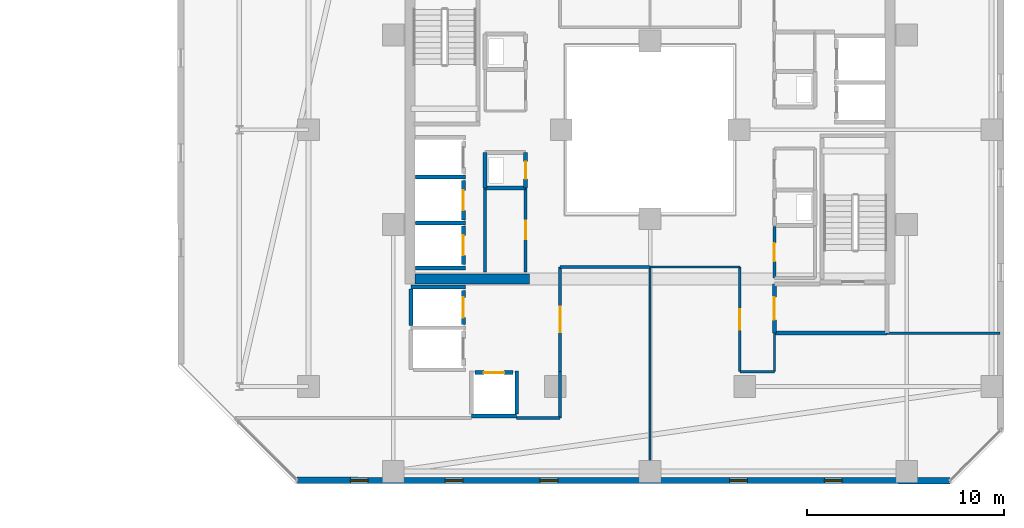
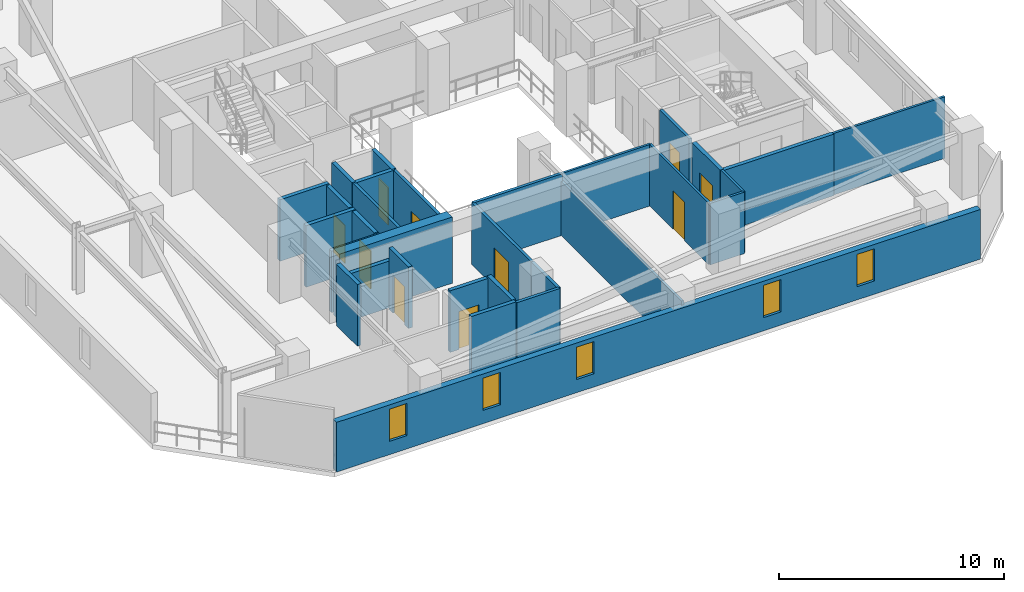
# One storey, part 23 of 32: 31 walls, 10 doors, 5 windows, 15 openings.
"""IFC4 building model written with IfcOpenShell, lengths in metres."""

from ifc_helpers import new_model, si_unit, direction, frame, frame_2d, origin, place, context, subcontext, project, spatial, rectangle, extrude, material, layer, layer_set, type_object, element, fill, save


model = new_model("IFC4")

# Units and contexts
model_context = context("Model", 3, precision=1e-05, world=origin(), true_north=direction((0.0, 1.0)))
body_context = subcontext(model_context, "Body", "Model", "MODEL_VIEW")
ifc_project = project(units=[si_unit("LENGTHUNIT", "METRE"), si_unit("AREAUNIT", "SQUARE_METRE"), si_unit("VOLUMEUNIT", "CUBIC_METRE"), si_unit("PLANEANGLEUNIT", "RADIAN"), si_unit("MASSUNIT", "GRAM", prefix="KILO")], contexts=[model_context])

# Site, building, storey
site_placement = place(None, origin())
site = spatial("IfcSite", under=ifc_project, at=site_placement, CompositionType="ELEMENT")
building_placement = place(site_placement, origin())
building = spatial("IfcBuilding", under=site, at=building_placement, Name="Thornwick Lancets Civic Towers", CompositionType="ELEMENT")
storey_placement = place(building_placement, frame((0.0, 0.0, 178.5)))
storey = spatial("IfcBuildingStorey", under=building, at=storey_placement, Name="L47", CompositionType="ELEMENT", Elevation=178.5)

# Wall, opening, door
ifc_material_1 = material(Name="Concrete blockwork C40/50", Category="masonry")
ifc_layer_1 = layer(ifc_material_1, 0.199951171875, Name="Concrete blockwork C40/50")
ifc_layer_set_1 = layer_set([ifc_layer_1], Name="Concrete blockwork C40/50")
wall_type_1 = type_object("IfcWallType", Name="WALL_COMP_200", PredefinedType="STANDARD", material=ifc_layer_set_1)
wall_1_placement = place(storey_placement, frame((79.050048828125, 22.429931640625, 0.0), z_axis=(0.0, 0.0, 1.0), x_axis=(0.0, 1.0, 0.0)))
wall_1 = element("IfcWall", 1, at=wall_1_placement, inside=storey, type_object=wall_type_1, Name="L47 Hoistway Front Wall PL-BH2", PredefinedType="STANDARD", context=body_context, shape_type="SweptSolid", body=[
    extrude(rectangle(XDim=1.989990234375, YDim=0.199951171875, at=frame_2d((0.9951171875, 0.0))), origin(), (0.0, 0.0, 1.0), 3.340087890625),
])
opening_1_placement = place(wall_1_placement, frame((0.485107421875, 0.0, 0.0)))
opening_1 = element("IfcOpeningElement", 2, at=opening_1_placement, cuts=wall_1, Name="Opening LD-PL-BH2", PredefinedType="OPENING", context=body_context, shape_type="SweptSolid", body=[
    extrude(rectangle(XDim=1.02001953125, YDim=2.06005859375, at=frame_2d((0.510009765625, 1.030029296875))), frame((0.0, 0.10986328125, 0.0), z_axis=(0.0, -1.0, 0.0), x_axis=(1.0, 0.0, 0.0)), (0.0, 0.0, 1.0), 0.219970703125),
])
ifc_material_2 = material(Name="Brushed bronze stainless steel", Category="steel")
door_type_1 = type_object("IfcDoorType", Name="DOOR_LIFT_SLIDE", OperationType="SLIDING_TO_LEFT", PredefinedType="DOOR", material=ifc_material_2)
door_1_placement = place(opening_1_placement, origin())
door_1 = element("IfcDoor", 3, at=door_1_placement, inside=storey, type_object=door_type_1, Name="L47 Sliding Lift Landing Door LD-PL-BH2", OperationType="SLIDING_TO_LEFT", OverallHeight=2.06005859375, OverallWidth=1.02001953125, PredefinedType="DOOR", context=body_context, shape_type="SweptSolid", body=[
    extrude(rectangle(XDim=1.02001953125, YDim=2.06005859375, at=frame_2d((0.510009765625, 1.030029296875))), frame((0.0, 0.02490234375, 0.0), z_axis=(0.0, -1.0, 0.0), x_axis=(1.0, 0.0, 0.0)), (0.0, 0.0, 1.0), 0.050048828125),
])
fill(opening_1, door_1)

wall_2_placement = place(storey_placement, frame((79.050048828125, 20.179931640625, 0.0), z_axis=(0.0, 0.0, 1.0), x_axis=(0.0, 1.0, 0.0)))
wall_2 = element("IfcWall", 4, at=wall_2_placement, inside=storey, type_object=wall_type_1, Name="L47 Hoistway Front Wall PL-BH3", PredefinedType="STANDARD", context=body_context, shape_type="SweptSolid", body=[
    extrude(rectangle(XDim=1.940185546875, YDim=0.199951171875, at=frame_2d((0.97021484375, 0.0))), origin(), (0.0, 0.0, 1.0), 3.340087890625),
])
opening_2_placement = place(wall_2_placement, frame((0.4599609375, 0.0, 0.0)))
opening_2 = element("IfcOpeningElement", 5, at=opening_2_placement, cuts=wall_2, Name="Opening LD-PL-BH3", PredefinedType="OPENING", context=body_context, shape_type="SweptSolid", body=[
    extrude(rectangle(XDim=1.02001953125, YDim=2.06005859375, at=frame_2d((0.510009765625, 1.030029296875))), frame((0.0, 0.10986328125, 0.0), z_axis=(0.0, -1.0, 0.0), x_axis=(1.0, 0.0, 0.0)), (0.0, 0.0, 1.0), 0.219970703125),
])
door_2_placement = place(opening_2_placement, origin())
door_2 = element("IfcDoor", 6, at=door_2_placement, inside=storey, type_object=door_type_1, Name="L47 Sliding Lift Landing Door LD-PL-BH3", OperationType="SLIDING_TO_LEFT", OverallHeight=2.06005859375, OverallWidth=1.02001953125, PredefinedType="DOOR", context=body_context, shape_type="SweptSolid", body=[
    extrude(rectangle(XDim=1.02001953125, YDim=2.06005859375, at=frame_2d((0.510009765625, 1.030029296875))), frame((0.0, 0.02490234375, 0.0), z_axis=(0.0, -1.0, 0.0), x_axis=(1.0, 0.0, 0.0)), (0.0, 0.0, 1.0), 0.050048828125),
])
fill(opening_2, door_2)

wall_3_placement = place(storey_placement, frame((79.050048828125, 17.1298828125, 0.0), z_axis=(0.0, 0.0, 1.0), x_axis=(0.0, 1.0, 0.0)))
wall_3 = element("IfcWall", 7, at=wall_3_placement, inside=storey, type_object=wall_type_1, Name="L47 Hoistway Front Wall PL-BM1", PredefinedType="STANDARD", context=body_context, shape_type="SweptSolid", body=[
    extrude(rectangle(XDim=1.740234375, YDim=0.199951171875, at=frame_2d((0.8701171875, 0.0))), origin(), (0.0, 0.0, 1.0), 3.340087890625),
])
opening_3_placement = place(wall_3_placement, frame((0.360107421875, 0.0, 0.0)))
opening_3 = element("IfcOpeningElement", 8, at=opening_3_placement, cuts=wall_3, Name="Opening LD-PL-BM1", PredefinedType="OPENING", context=body_context, shape_type="SweptSolid", body=[
    extrude(rectangle(XDim=1.02001953125, YDim=2.06005859375, at=frame_2d((0.510009765625, 1.030029296875))), frame((0.0, 0.10986328125, 0.0), z_axis=(0.0, -1.0, 0.0), x_axis=(1.0, 0.0, 0.0)), (0.0, 0.0, 1.0), 0.219970703125),
])
door_3_placement = place(opening_3_placement, origin())
door_3 = element("IfcDoor", 9, at=door_3_placement, inside=storey, type_object=door_type_1, Name="L47 Sliding Lift Landing Door LD-PL-BM1", OperationType="SLIDING_TO_LEFT", OverallHeight=2.06005859375, OverallWidth=1.02001953125, PredefinedType="DOOR", context=body_context, shape_type="SweptSolid", body=[
    extrude(rectangle(XDim=1.02001953125, YDim=2.06005859375, at=frame_2d((0.510009765625, 1.030029296875))), frame((0.0, 0.02490234375, 0.0), z_axis=(0.0, -1.0, 0.0), x_axis=(1.0, 0.0, 0.0)), (0.0, 0.0, 1.0), 0.050048828125),
])
fill(opening_3, door_3)

wall_4_placement = place(storey_placement, frame((79.6298828125, 14.699951171875, 0.0), z_axis=(0.0, 0.0, 1.0), x_axis=(1.0, 0.0, 0.0)))
wall_4 = element("IfcWall", 10, at=wall_4_placement, inside=storey, type_object=wall_type_1, Name="L47 Hoistway Front Wall PL-BM3", PredefinedType="STANDARD", context=body_context, shape_type="SweptSolid", body=[
    extrude(rectangle(XDim=1.940185546875, YDim=0.199951171875, at=frame_2d((0.97021484375, 0.0))), origin(), (0.0, 0.0, 1.0), 3.340087890625),
])
opening_4_placement = place(wall_4_placement, frame((0.4599609375, 0.0, 0.0)))
opening_4 = element("IfcOpeningElement", 11, at=opening_4_placement, cuts=wall_4, Name="Opening LD-PL-BM3", PredefinedType="OPENING", context=body_context, shape_type="SweptSolid", body=[
    extrude(rectangle(XDim=1.02001953125, YDim=2.06005859375, at=frame_2d((0.510009765625, 1.030029296875))), frame((0.0, 0.10986328125, 0.0), z_axis=(0.0, -1.0, 0.0), x_axis=(1.0, 0.0, 0.0)), (0.0, 0.0, 1.0), 0.219970703125),
])
door_4_placement = place(opening_4_placement, origin())
door_4 = element("IfcDoor", 12, at=door_4_placement, inside=storey, type_object=door_type_1, Name="L47 Sliding Lift Landing Door LD-PL-BM3", OperationType="SLIDING_TO_LEFT", OverallHeight=2.06005859375, OverallWidth=1.02001953125, PredefinedType="DOOR", context=body_context, shape_type="SweptSolid", body=[
    extrude(rectangle(XDim=1.02001953125, YDim=2.06005859375, at=frame_2d((0.510009765625, 1.030029296875))), frame((0.0, 0.02490234375, 0.0), z_axis=(0.0, -1.0, 0.0), x_axis=(1.0, 0.0, 0.0)), (0.0, 0.0, 1.0), 0.050048828125),
])
fill(opening_4, door_4)

# Walls
for number, where, z_axis, x_axis, name in (
    (13, (76.612060546875, 24.60009765625, 0.0), (0.0, 0.0, 1.0), (1.0, 0.0, 0.0), "L47 Hoistway Shaft Wall FL-B2 S"),
    (14, (76.612060546875, 22.27490234375, 0.0), (0.0, 0.0, 1.0), (1.0, 0.0, 0.0), "L47 Hoistway Shaft Wall PL-BH2 S"),
    (15, (76.612060546875, 20.0, 0.0), (0.0, 0.0, 1.0), (1.0, 0.0, 0.0), "L47 Hoistway Shaft Wall PL-BH3 S"),
):
    element("IfcWall", number, at=place(storey_placement, frame(where, z_axis=z_axis, x_axis=x_axis)), inside=storey, type_object=wall_type_1, Name=name, PredefinedType="STANDARD", context=body_context, shape_type="SweptSolid", body=[
        extrude(rectangle(XDim=2.535888671875, YDim=0.199951171875, at=frame_2d((1.26806640625, 0.0))), origin(), (0.0, 0.0, 1.0), 3.340087890625),
    ])
wall_5_placement = place(storey_placement, frame((76.402099609375, 19.050048828125, 0.0), z_axis=(0.0, 0.0, 1.0), x_axis=(1.0, 0.0, 0.0)))
element("IfcWall", 16, at=wall_5_placement, inside=storey, type_object=wall_type_1, Name="L47 Hoistway Shaft Wall PL-BM1 N", PredefinedType="STANDARD", context=body_context, shape_type="SweptSolid", body=[
    extrude(rectangle(XDim=2.745849609375, YDim=0.199951171875, at=frame_2d((1.373046875, 0.0))), origin(), (0.0, 0.0, 1.0), 2.544921875),
])
wall_6_placement = place(storey_placement, frame((76.39990234375, 17.08203125, 0.0), z_axis=(0.0, 0.0, 1.0), x_axis=(0.0, 1.0, 0.0)))
element("IfcWall", 17, at=wall_6_placement, inside=storey, type_object=wall_type_1, Name="L47 Hoistway Shaft Wall PL-BM1 W", PredefinedType="STANDARD", context=body_context, shape_type="SweptSolid", body=[
    extrude(rectangle(XDim=1.85595703125, YDim=0.199951171875, at=frame_2d((0.927978515625, 0.0))), origin(), (0.0, 0.0, 1.0), 3.340087890625),
])
wall_7_placement = place(storey_placement, frame((79.451904296875, 12.5, 0.0), z_axis=(0.0, 0.0, 1.0), x_axis=(1.0, 0.0, 0.0)))
element("IfcWall", 18, at=wall_7_placement, inside=storey, type_object=wall_type_1, Name="L47 Hoistway Shaft Wall PL-BM3 S", PredefinedType="STANDARD", context=body_context, shape_type="SweptSolid", body=[
    extrude(rectangle(XDim=2.296142578125, YDim=0.199951171875, at=frame_2d((1.14794921875, 0.0))), origin(), (0.0, 0.0, 1.0), 3.340087890625),
])
wall_8_placement = place(storey_placement, frame((81.75, 12.612060546875, 0.0), z_axis=(0.0, 0.0, 1.0), x_axis=(0.0, 1.0, 0.0)))
element("IfcWall", 19, at=wall_8_placement, inside=storey, type_object=wall_type_1, Name="L47 Hoistway Shaft Wall PL-BM3 E", PredefinedType="STANDARD", context=body_context, shape_type="SweptSolid", body=[
    extrude(rectangle(XDim=2.18603515625, YDim=0.199951171875, at=frame_2d((1.093017578125, 0.0))), origin(), (0.0, 0.0, 1.0), 3.340087890625),
])
wall_9_placement = place(storey_placement, frame((94.800048828125, 16.699951171875, 0.0), z_axis=(0.0, 0.0, 1.0), x_axis=(1.0, 0.0, 0.0)))
element("IfcWall", 20, at=wall_9_placement, inside=storey, type_object=wall_type_1, Name="L47 Partition L47-B-FFLOB1 E1", PredefinedType="STANDARD", context=body_context, shape_type="SweptSolid", body=[
    extrude(rectangle(XDim=5.699951171875, YDim=0.199951171875, at=frame_2d((2.85009765625, 0.0))), origin(), (0.0, 0.0, 1.0), 3.340087890625),
])

# Wall, opening, door
wall_10_placement = place(storey_placement, frame((94.800048828125, 19.199951171875, 0.0), z_axis=(0.0, 0.0, 1.0), x_axis=(0.0, -1.0, 0.0)))
wall_10 = element("IfcWall", 21, at=wall_10_placement, inside=storey, type_object=wall_type_1, Name="L47 Partition L47-B-FFLOB1 E4", PredefinedType="STANDARD", context=body_context, shape_type="SweptSolid", body=[
    extrude(rectangle(XDim=2.5, YDim=0.199951171875, at=frame_2d((1.25, 0.0))), origin(), (0.0, 0.0, 1.0), 3.340087890625),
])
opening_5_placement = place(wall_10_placement, frame((0.675048828125, 0.0, 0.0)))
opening_5 = element("IfcOpeningElement", 22, at=opening_5_placement, cuts=wall_10, Name="Opening D-L47-2099", PredefinedType="OPENING", context=body_context, shape_type="SweptSolid", body=[
    extrude(rectangle(XDim=1.14990234375, YDim=2.10009765625, at=frame_2d((0.574951171875, 1.050048828125))), frame((0.0, 0.10986328125, 0.0), z_axis=(0.0, -1.0, 0.0), x_axis=(1.0, 0.0, 0.0)), (0.0, 0.0, 1.0), 0.219970703125),
])
ifc_material_3 = material(Name="Glazed fire-resisting steel", Category="steel")
door_type_2 = type_object("IfcDoorType", Name="DOOR_LOBBY_FD60", OperationType="NOTDEFINED", PredefinedType="DOOR", material=ifc_material_3)
door_5_placement = place(opening_5_placement, origin())
door_5 = element("IfcDoor", 23, at=door_5_placement, inside=storey, type_object=door_type_2, Name="L47 East Firefighting Lobby 1 Door", OperationType="SINGLE_SWING_RIGHT", OverallHeight=2.10009765625, OverallWidth=1.14990234375, PredefinedType="DOOR", context=body_context, shape_type="SweptSolid", body=[
    extrude(rectangle(XDim=1.14990234375, YDim=2.10009765625, at=frame_2d((0.574951171875, 1.050048828125))), frame((0.0, 0.02490234375, 0.0), z_axis=(0.0, -1.0, 0.0), x_axis=(1.0, 0.0, 0.0)), (0.0, 0.0, 1.0), 0.050048828125),
])
fill(opening_5, door_5)

# Wall
wall_11_placement = place(storey_placement, frame((80.14990234375, 24.050048828125, 0.0), z_axis=(0.0, 0.0, 1.0), x_axis=(1.0, 0.0, 0.0)))
element("IfcWall", 24, at=wall_11_placement, inside=storey, type_object=wall_type_1, Name="L47 Partition L47-B-DUCT2 E1", PredefinedType="STANDARD", context=body_context, shape_type="SweptSolid", body=[
    extrude(rectangle(XDim=2.050048828125, YDim=0.199951171875, at=frame_2d((1.02490234375, 0.0))), origin(), (0.0, 0.0, 1.0), 3.340087890625),
])

# Wall, opening, door
wall_12_placement = place(storey_placement, frame((82.199951171875, 24.050048828125, 0.0), z_axis=(0.0, 0.0, 1.0), x_axis=(0.0, 1.0, 0.0)))
wall_12 = element("IfcWall", 25, at=wall_12_placement, inside=storey, type_object=wall_type_1, Name="L47 Partition L47-B-DUCT2 E2", PredefinedType="STANDARD", context=body_context, shape_type="SweptSolid", body=[
    extrude(rectangle(XDim=1.800048828125, YDim=0.199951171875, at=frame_2d((0.89990234375, 0.0))), origin(), (0.0, 0.0, 1.0), 3.340087890625),
])
opening_6_placement = place(wall_12_placement, frame((0.4599609375, 0.0, 0.0)))
opening_6 = element("IfcOpeningElement", 26, at=opening_6_placement, cuts=wall_12, Name="Opening D-L47-2103", PredefinedType="OPENING", context=body_context, shape_type="SweptSolid", body=[
    extrude(rectangle(XDim=0.8798828125, YDim=2.0400390625, at=frame_2d((0.43994140625, 1.02001953125))), frame((0.0, 0.10986328125, 0.0), z_axis=(0.0, -1.0, 0.0), x_axis=(1.0, 0.0, 0.0)), (0.0, 0.0, 1.0), 0.219970703125),
])
ifc_material_4 = material(Name="Steel riser access doorset", Category="steel")
door_type_3 = type_object("IfcDoorType", Name="DOOR_RISER_850", OperationType="NOTDEFINED", PredefinedType="DOOR", material=ifc_material_4)
door_6_placement = place(opening_6_placement, origin())
door_6 = element("IfcDoor", 27, at=door_6_placement, inside=storey, type_object=door_type_3, Name="L47 West Service Duct 2 Door", OperationType="SINGLE_SWING_RIGHT", OverallHeight=2.0400390625, OverallWidth=0.8798828125, PredefinedType="DOOR", context=body_context, shape_type="SweptSolid", body=[
    extrude(rectangle(XDim=0.8798828125, YDim=2.0400390625, at=frame_2d((0.43994140625, 1.02001953125))), frame((0.0, 0.02490234375, 0.0), z_axis=(0.0, -1.0, 0.0), x_axis=(1.0, 0.0, 0.0)), (0.0, 0.0, 1.0), 0.050048828125),
])
fill(opening_6, door_6)

# Walls
wall_13_placement = place(storey_placement, frame((80.14990234375, 25.85009765625, 0.0), z_axis=(0.0, 0.0, 1.0), x_axis=(0.0, -1.0, 0.0)))
element("IfcWall", 28, at=wall_13_placement, inside=storey, type_object=wall_type_1, Name="L47 Partition L47-B-DUCT2 E4", PredefinedType="STANDARD", context=body_context, shape_type="SweptSolid", body=[
    extrude(rectangle(XDim=1.800048828125, YDim=0.199951171875, at=frame_2d((0.89990234375, 0.0))), origin(), (0.0, 0.0, 1.0), 3.340087890625),
])
ifc_material_5 = material(Name="Concrete C50/60", Category="concrete")
ifc_layer_2 = layer(ifc_material_5, 0.5, Name="Concrete C50/60")
ifc_layer_set_2 = layer_set([ifc_layer_2], Name="Concrete C50/60")
wall_type_2 = type_object("IfcWallType", Name="WALL_CORE_500", PredefinedType="SHEAR", material=ifc_layer_set_2)
wall_14_placement = place(storey_placement, frame((76.60009765625, 19.449951171875, 0.0), z_axis=(0.0, 0.0, 1.0), x_axis=(1.0, 0.0, 0.0)))
element("IfcWall", 29, at=wall_14_placement, inside=storey, type_object=wall_type_2, Name="L47 Split Core B2 Shear Wall S", PredefinedType="SHEAR", context=body_context, shape_type="SweptSolid", body=[
    extrude(rectangle(XDim=5.7998046875, YDim=0.5, at=frame_2d((2.89990234375, 0.0))), origin(), (0.0, 0.0, 1.0), 3.60009765625),
])

# Wall, openings, windows
ifc_material_6 = material(Name="Insulated buff terracotta rainscreen on concrete C40/50", Category="masonry")
ifc_layer_3 = layer(ifc_material_6, 0.320068359375, Name="Insulated buff terracotta rainscreen on concrete C40/50")
ifc_layer_set_3 = layer_set([ifc_layer_3], Name="Insulated buff terracotta rainscreen on concrete C40/50")
wall_type_3 = type_object("IfcWallType", Name="WALL_EXT_TERRA_320", PredefinedType="STANDARD", material=ifc_layer_set_3)
wall_15_placement = place(storey_placement, frame((70.627685546875, 9.246337890625, 0.0), z_axis=(0.0, 0.0, 1.0), x_axis=(0.999999944762, -0.000332378036, 0.0)))
wall_15 = element("IfcWall", 30, at=wall_15_placement, inside=storey, type_object=wall_type_3, Name="L47 Tower B Terracotta Facade Wall E0", PredefinedType="STANDARD", context=body_context, shape_type="SweptSolid", body=[
    extrude(rectangle(XDim=33.0537109375, YDim=0.320068359375, at=frame_2d((16.52685546875, 0.0))), origin(), (0.0, 0.0, 1.0), 2.699951171875),
])
opening_7_placement = place(wall_15_placement, frame((2.699951171875, 0.0, 0.719970703125)))
opening_7 = element("IfcOpeningElement", 31, at=opening_7_placement, cuts=wall_15, Name="Opening WL-01", PredefinedType="OPENING", context=body_context, shape_type="SweptSolid", body=[
    extrude(rectangle(XDim=0.89990234375, YDim=1.75, at=frame_2d((0.449951171875, 0.875))), frame((0.0, 0.169921875, 0.0), z_axis=(0.0, -1.0, 0.0), x_axis=(1.0, 0.0, 0.0)), (0.0, 0.0, 1.0), 0.340087890625),
])
opening_8_placement = place(wall_15_placement, frame((7.5, 0.0, 0.719970703125)))
opening_8 = element("IfcOpeningElement", 32, at=opening_8_placement, cuts=wall_15, Name="Opening WL-01", PredefinedType="OPENING", context=body_context, shape_type="SweptSolid", body=[
    extrude(rectangle(XDim=0.89990234375, YDim=1.75, at=frame_2d((0.449951171875, 0.875))), frame((0.0, 0.169921875, 0.0), z_axis=(0.0, -1.0, 0.0), x_axis=(1.0, 0.0, 0.0)), (0.0, 0.0, 1.0), 0.340087890625),
])
opening_9_placement = place(wall_15_placement, frame((12.300048828125, 0.0, 0.719970703125)))
opening_9 = element("IfcOpeningElement", 33, at=opening_9_placement, cuts=wall_15, Name="Opening WL-01", PredefinedType="OPENING", context=body_context, shape_type="SweptSolid", body=[
    extrude(rectangle(XDim=0.89990234375, YDim=1.75, at=frame_2d((0.449951171875, 0.875))), frame((0.0, 0.169921875, 0.0), z_axis=(0.0, -1.0, 0.0), x_axis=(1.0, 0.0, 0.0)), (0.0, 0.0, 1.0), 0.340087890625),
])
opening_10_placement = place(wall_15_placement, frame((21.89990234375, 0.0, 0.719970703125)))
opening_10 = element("IfcOpeningElement", 34, at=opening_10_placement, cuts=wall_15, Name="Opening WL-01", PredefinedType="OPENING", context=body_context, shape_type="SweptSolid", body=[
    extrude(rectangle(XDim=0.89990234375, YDim=1.75, at=frame_2d((0.449951171875, 0.875))), frame((0.0, 0.169921875, 0.0), z_axis=(0.0, -1.0, 0.0), x_axis=(1.0, 0.0, 0.0)), (0.0, 0.0, 1.0), 0.340087890625),
])
opening_11_placement = place(wall_15_placement, frame((26.699951171875, 0.0, 0.719970703125)))
opening_11 = element("IfcOpeningElement", 35, at=opening_11_placement, cuts=wall_15, Name="Opening WL-01", PredefinedType="OPENING", context=body_context, shape_type="SweptSolid", body=[
    extrude(rectangle(XDim=0.89990234375, YDim=1.75, at=frame_2d((0.449951171875, 0.875))), frame((0.0, 0.169921875, 0.0), z_axis=(0.0, -1.0, 0.0), x_axis=(1.0, 0.0, 0.0)), (0.0, 0.0, 1.0), 0.340087890625),
])
ifc_material_7 = material(Name="Clear low-e double glazing in bronze frame", Category="glass")
window_type = type_object("IfcWindowType", Name="WIN_LANCET_900", PartitioningType="SINGLE_PANEL", PredefinedType="WINDOW", material=ifc_material_7)
window_1_placement = place(opening_7_placement, origin())
window_1 = element("IfcWindow", 36, at=window_1_placement, inside=storey, type_object=window_type, Name="L47 Tower B Staggered Lancet Window E0-1", OverallHeight=1.75, OverallWidth=0.89990234375, PartitioningType="SINGLE_PANEL", PredefinedType="WINDOW", context=body_context, shape_type="SweptSolid", body=[
    extrude(rectangle(XDim=0.89990234375, YDim=1.75, at=frame_2d((0.449951171875, 0.875))), frame((0.0, 0.030029296875, 0.0), z_axis=(0.0, -1.0, 0.0), x_axis=(1.0, 0.0, 0.0)), (0.0, 0.0, 1.0), 0.06005859375),
])
fill(opening_7, window_1)
window_2_placement = place(opening_8_placement, origin())
window_2 = element("IfcWindow", 37, at=window_2_placement, inside=storey, type_object=window_type, Name="L47 Tower B Staggered Lancet Window E0-2", OverallHeight=1.75, OverallWidth=0.89990234375, PartitioningType="SINGLE_PANEL", PredefinedType="WINDOW", context=body_context, shape_type="SweptSolid", body=[
    extrude(rectangle(XDim=0.89990234375, YDim=1.75, at=frame_2d((0.449951171875, 0.875))), frame((0.0, 0.030029296875, 0.0), z_axis=(0.0, -1.0, 0.0), x_axis=(1.0, 0.0, 0.0)), (0.0, 0.0, 1.0), 0.06005859375),
])
fill(opening_8, window_2)
window_3_placement = place(opening_9_placement, origin())
window_3 = element("IfcWindow", 38, at=window_3_placement, inside=storey, type_object=window_type, Name="L47 Tower B Staggered Lancet Window E0-3", OverallHeight=1.75, OverallWidth=0.89990234375, PartitioningType="SINGLE_PANEL", PredefinedType="WINDOW", context=body_context, shape_type="SweptSolid", body=[
    extrude(rectangle(XDim=0.89990234375, YDim=1.75, at=frame_2d((0.449951171875, 0.875))), frame((0.0, 0.030029296875, 0.0), z_axis=(0.0, -1.0, 0.0), x_axis=(1.0, 0.0, 0.0)), (0.0, 0.0, 1.0), 0.06005859375),
])
fill(opening_9, window_3)
window_4_placement = place(opening_10_placement, origin())
window_4 = element("IfcWindow", 39, at=window_4_placement, inside=storey, type_object=window_type, Name="L47 Tower B Staggered Lancet Window E0-4", OverallHeight=1.75, OverallWidth=0.89990234375, PartitioningType="SINGLE_PANEL", PredefinedType="WINDOW", context=body_context, shape_type="SweptSolid", body=[
    extrude(rectangle(XDim=0.89990234375, YDim=1.75, at=frame_2d((0.449951171875, 0.875))), frame((0.0, 0.030029296875, 0.0), z_axis=(0.0, -1.0, 0.0), x_axis=(1.0, 0.0, 0.0)), (0.0, 0.0, 1.0), 0.06005859375),
])
fill(opening_10, window_4)
window_5_placement = place(opening_11_placement, origin())
window_5 = element("IfcWindow", 40, at=window_5_placement, inside=storey, type_object=window_type, Name="L47 Tower B Staggered Lancet Window E0-5", OverallHeight=1.75, OverallWidth=0.89990234375, PartitioningType="SINGLE_PANEL", PredefinedType="WINDOW", context=body_context, shape_type="SweptSolid", body=[
    extrude(rectangle(XDim=0.89990234375, YDim=1.75, at=frame_2d((0.449951171875, 0.875))), frame((0.0, 0.030029296875, 0.0), z_axis=(0.0, -1.0, 0.0), x_axis=(1.0, 0.0, 0.0)), (0.0, 0.0, 1.0), 0.06005859375),
])
fill(opening_11, window_5)

# Walls
ifc_material_8 = material(Name="Acoustic gypsum board partition")
ifc_layer_4 = layer(ifc_material_8, 0.1201171875, Name="Acoustic gypsum board partition")
ifc_layer_set_4 = layer_set([ifc_layer_4], Name="Acoustic gypsum board partition")
wall_type_4 = type_object("IfcWallType", Name="WALL_PART_120", PredefinedType="PARTITIONING", material=ifc_layer_set_4)
wall_16_placement = place(storey_placement, frame((88.5, 9.280029296875, 0.0), z_axis=(0.0, 0.0, 1.0), x_axis=(0.0, 1.0, 0.0)))
element("IfcWall", 41, at=wall_16_placement, inside=storey, type_object=wall_type_4, Name="L47 Partition L47-B-W1 E2", PredefinedType="PARTITIONING", context=body_context, shape_type="SweptSolid", body=[
    extrude(rectangle(XDim=10.77001953125, YDim=0.1201171875, at=frame_2d((5.385009765625, 0.0))), origin(), (0.0, 0.0, 1.0), 2.93212890625),
])
wall_17_placement = place(storey_placement, frame((88.5, 20.050048828125, 0.0), z_axis=(0.0, 0.0, 1.0), x_axis=(1.0, 0.0, 0.0)))
element("IfcWall", 42, at=wall_17_placement, inside=storey, type_object=wall_type_4, Name="L47 Partition L47-B-W1 E3", PredefinedType="PARTITIONING", context=body_context, shape_type="SweptSolid", body=[
    extrude(rectangle(XDim=4.550048828125, YDim=0.1201171875, at=frame_2d((2.27490234375, 0.0))), origin(), (0.0, 0.0, 1.0), 3.340087890625),
])

# Wall, opening, door
wall_18_placement = place(storey_placement, frame((93.050048828125, 20.050048828125, 0.0), z_axis=(0.0, 0.0, 1.0), x_axis=(0.0, -1.0, 0.0)))
wall_18 = element("IfcWall", 43, at=wall_18_placement, inside=storey, type_object=wall_type_4, Name="L47 Partition L47-B-W1 E4", PredefinedType="PARTITIONING", context=body_context, shape_type="SweptSolid", body=[
    extrude(rectangle(XDim=5.300048828125, YDim=0.1201171875, at=frame_2d((2.64990234375, 0.0))), origin(), (0.0, 0.0, 1.0), 3.340087890625),
])
opening_12_placement = place(wall_18_placement, frame((2.125, 0.0, 0.0)))
opening_12 = element("IfcOpeningElement", 44, at=opening_12_placement, cuts=wall_18, Name="Opening D-L47-2117", PredefinedType="OPENING", context=body_context, shape_type="SweptSolid", body=[
    extrude(rectangle(XDim=1.050048828125, YDim=2.10009765625, at=frame_2d((0.52490234375, 1.050048828125))), frame((0.0, 0.070068359375, 0.0), z_axis=(0.0, -1.0, 0.0), x_axis=(1.0, 0.0, 0.0)), (0.0, 0.0, 1.0), 0.14013671875),
])
ifc_material_9 = material(Name="Glazed European oak executive doorset")
door_type_4 = type_object("IfcDoorType", Name="DOOR_OFFICE_1050", OperationType="NOTDEFINED", PredefinedType="DOOR", material=ifc_material_9)
door_7_placement = place(opening_12_placement, origin())
door_7 = element("IfcDoor", 45, at=door_7_placement, inside=storey, type_object=door_type_4, Name="L47 Tower B Ministry Directorate Office W1 Door", OperationType="SINGLE_SWING_RIGHT", OverallHeight=2.10009765625, OverallWidth=1.050048828125, PredefinedType="DOOR", context=body_context, shape_type="SweptSolid", body=[
    extrude(rectangle(XDim=1.050048828125, YDim=2.10009765625, at=frame_2d((0.52490234375, 1.050048828125))), frame((0.0, 0.02490234375, 0.0), z_axis=(0.0, -1.0, 0.0), x_axis=(1.0, 0.0, 0.0)), (0.0, 0.0, 1.0), 0.050048828125),
])
fill(opening_12, door_7)

# Walls
wall_19_placement = place(storey_placement, frame((93.050048828125, 14.75, 0.0), z_axis=(0.0, 0.0, 1.0), x_axis=(1.0, 0.0, 0.0)))
element("IfcWall", 46, at=wall_19_placement, inside=storey, type_object=wall_type_4, Name="L47 Partition L47-B-W1 E5", PredefinedType="PARTITIONING", context=body_context, shape_type="SweptSolid", body=[
    extrude(rectangle(XDim=1.75, YDim=0.1201171875, at=frame_2d((0.875, 0.0))), origin(), (0.0, 0.0, 1.0), 3.340087890625),
])
wall_20_placement = place(storey_placement, frame((94.800048828125, 14.75, 0.0), z_axis=(0.0, 0.0, 1.0), x_axis=(0.0, 1.0, 0.0)))
element("IfcWall", 47, at=wall_20_placement, inside=storey, type_object=wall_type_4, Name="L47 Partition L47-B-W1 E6", PredefinedType="PARTITIONING", context=body_context, shape_type="SweptSolid", body=[
    extrude(rectangle(XDim=1.949951171875, YDim=0.1201171875, at=frame_2d((0.97509765625, 0.0))), origin(), (0.0, 0.0, 1.0), 3.340087890625),
])
wall_21_placement = place(storey_placement, frame((100.5, 16.699951171875, 0.0), z_axis=(0.0, 0.0, 1.0), x_axis=(1.0, 0.0, 0.0)))
element("IfcWall", 48, at=wall_21_placement, inside=storey, type_object=wall_type_4, Name="L47 Partition L47-B-W1 E8", PredefinedType="PARTITIONING", context=body_context, shape_type="SweptSolid", body=[
    extrude(rectangle(XDim=5.719970703125, YDim=0.1201171875, at=frame_2d((2.85986328125, 0.0))), origin(), (0.0, 0.0, 1.0), 3.340087890625),
])

# Wall, opening, door
ifc_material_10 = material(Name="Twin-stud acoustic gypsum board")
ifc_layer_5 = layer(ifc_material_10, 0.14990234375, Name="Twin-stud acoustic gypsum board")
ifc_layer_set_5 = layer_set([ifc_layer_5], Name="Twin-stud acoustic gypsum board")
wall_type_5 = type_object("IfcWallType", Name="WALL_PART_150", PredefinedType="PARTITIONING", material=ifc_layer_set_5)
wall_22_placement = place(storey_placement, frame((94.800048828125, 22.10009765625, 0.0), z_axis=(0.0, 0.0, 1.0), x_axis=(0.0, -1.0, 0.0)))
wall_22 = element("IfcWall", 49, at=wall_22_placement, inside=storey, type_object=wall_type_5, Name="L47 Partition L47-B-MWC E4", PredefinedType="PARTITIONING", context=body_context, shape_type="SweptSolid", body=[
    extrude(rectangle(XDim=2.60009765625, YDim=0.14990234375, at=frame_2d((1.300048828125, 0.0))), origin(), (0.0, 0.0, 1.0), 3.340087890625),
])
opening_13_placement = place(wall_22_placement, frame((0.840087890625, 0.0, 0.0)))
opening_13 = element("IfcOpeningElement", 50, at=opening_13_placement, cuts=wall_22, Name="Opening D-L47-2105", PredefinedType="OPENING", context=body_context, shape_type="SweptSolid", body=[
    extrude(rectangle(XDim=0.919921875, YDim=2.080078125, at=frame_2d((0.4599609375, 1.0400390625))), frame((0.0, 0.0849609375, 0.0), z_axis=(0.0, -1.0, 0.0), x_axis=(1.0, 0.0, 0.0)), (0.0, 0.0, 1.0), 0.169921875),
])
ifc_material_11 = material(Name="Moisture-resistant oak doorset")
door_type_5 = type_object("IfcDoorType", Name="DOOR_WC_900", OperationType="NOTDEFINED", PredefinedType="DOOR", material=ifc_material_11)
door_8_placement = place(opening_13_placement, origin())
door_8 = element("IfcDoor", 51, at=door_8_placement, inside=storey, type_object=door_type_5, Name="L47 Tower B Male WC Door", OperationType="SINGLE_SWING_RIGHT", OverallHeight=2.080078125, OverallWidth=0.919921875, PredefinedType="DOOR", context=body_context, shape_type="SweptSolid", body=[
    extrude(rectangle(XDim=0.919921875, YDim=2.080078125, at=frame_2d((0.4599609375, 1.0400390625))), frame((0.0, 0.02490234375, 0.0), z_axis=(0.0, -1.0, 0.0), x_axis=(1.0, 0.0, 0.0)), (0.0, 0.0, 1.0), 0.050048828125),
])
fill(opening_13, door_8)

# Wall
wall_23_placement = place(storey_placement, frame((80.14990234375, 19.800048828125, 0.0), z_axis=(0.0, 0.0, 1.0), x_axis=(0.0, 1.0, 0.0)))
element("IfcWall", 52, at=wall_23_placement, inside=storey, type_object=wall_type_5, Name="L47 Partition L47-B-FWC E2", PredefinedType="PARTITIONING", context=body_context, shape_type="SweptSolid", body=[
    extrude(rectangle(XDim=4.25, YDim=0.14990234375, at=frame_2d((2.125, 0.0))), origin(), (0.0, 0.0, 1.0), 3.340087890625),
])

# Wall, opening, door
wall_24_placement = place(storey_placement, frame((82.199951171875, 24.050048828125, 0.0), z_axis=(0.0, 0.0, 1.0), x_axis=(0.0, -1.0, 0.0)))
wall_24 = element("IfcWall", 53, at=wall_24_placement, inside=storey, type_object=wall_type_5, Name="L47 Partition L47-B-FWC E4", PredefinedType="PARTITIONING", context=body_context, shape_type="SweptSolid", body=[
    extrude(rectangle(XDim=4.25, YDim=0.14990234375, at=frame_2d((2.125, 0.0))), origin(), (0.0, 0.0, 1.0), 3.340087890625),
])
opening_14_placement = place(wall_24_placement, frame((1.6650390625, 0.0, 0.0)))
opening_14 = element("IfcOpeningElement", 54, at=opening_14_placement, cuts=wall_24, Name="Opening D-L47-2109", PredefinedType="OPENING", context=body_context, shape_type="SweptSolid", body=[
    extrude(rectangle(XDim=0.919921875, YDim=2.080078125, at=frame_2d((0.4599609375, 1.0400390625))), frame((0.0, 0.0849609375, 0.0), z_axis=(0.0, -1.0, 0.0), x_axis=(1.0, 0.0, 0.0)), (0.0, 0.0, 1.0), 0.169921875),
])
door_9_placement = place(opening_14_placement, origin())
door_9 = element("IfcDoor", 55, at=door_9_placement, inside=storey, type_object=door_type_5, Name="L47 Tower B Female WC Door", OperationType="SINGLE_SWING_RIGHT", OverallHeight=2.080078125, OverallWidth=0.919921875, PredefinedType="DOOR", context=body_context, shape_type="SweptSolid", body=[
    extrude(rectangle(XDim=0.919921875, YDim=2.080078125, at=frame_2d((0.4599609375, 1.0400390625))), frame((0.0, 0.02490234375, 0.0), z_axis=(0.0, -1.0, 0.0), x_axis=(1.0, 0.0, 0.0)), (0.0, 0.0, 1.0), 0.050048828125),
])
fill(opening_14, door_9)

wall_25_placement = place(storey_placement, frame((83.949951171875, 14.75, 0.0), z_axis=(0.0, 0.0, 1.0), x_axis=(0.0, 1.0, 0.0)))
wall_25 = element("IfcWall", 56, at=wall_25_placement, inside=storey, type_object=wall_type_5, Name="L47 Partition L47-B-W2 E1", PredefinedType="PARTITIONING", context=body_context, shape_type="SweptSolid", body=[
    extrude(rectangle(XDim=5.300048828125, YDim=0.14990234375, at=frame_2d((2.64990234375, 0.0))), origin(), (0.0, 0.0, 1.0), 3.340087890625),
])
opening_15_placement = place(wall_25_placement, frame((2.0, 0.0, 0.0)))
opening_15 = element("IfcOpeningElement", 57, at=opening_15_placement, cuts=wall_25, Name="Opening D-L47-2118", PredefinedType="OPENING", context=body_context, shape_type="SweptSolid", body=[
    extrude(rectangle(XDim=1.300048828125, YDim=2.1201171875, at=frame_2d((0.64990234375, 1.06005859375))), frame((0.0, 0.0849609375, 0.0), z_axis=(0.0, -1.0, 0.0), x_axis=(1.0, 0.0, 0.0)), (0.0, 0.0, 1.0), 0.169921875),
])
ifc_material_12 = material(Name="Acoustic oak leaf-and-a-half doorset")
door_type_6 = type_object("IfcDoorType", Name="DOOR_MEET_1300", OperationType="DOUBLE_DOOR_SINGLE_SWING", PredefinedType="DOOR", material=ifc_material_12)
door_10_placement = place(opening_15_placement, origin())
door_10 = element("IfcDoor", 58, at=door_10_placement, inside=storey, type_object=door_type_6, Name="L47 Tower B Policy Briefing Room W2 Door", OperationType="DOUBLE_DOOR_SINGLE_SWING", OverallHeight=2.1201171875, OverallWidth=1.300048828125, PredefinedType="DOOR", context=body_context, shape_type="SweptSolid", body=[
    extrude(rectangle(XDim=1.300048828125, YDim=2.1201171875, at=frame_2d((0.64990234375, 1.06005859375))), frame((0.0, 0.02490234375, 0.0), z_axis=(0.0, -1.0, 0.0), x_axis=(1.0, 0.0, 0.0)), (0.0, 0.0, 1.0), 0.050048828125),
])
fill(opening_15, door_10)

# Walls
wall_26_placement = place(storey_placement, frame((83.949951171875, 20.050048828125, 0.0), z_axis=(0.0, 0.0, 1.0), x_axis=(1.0, 0.0, 0.0)))
element("IfcWall", 59, at=wall_26_placement, inside=storey, type_object=wall_type_5, Name="L47 Partition L47-B-W2 E2", PredefinedType="PARTITIONING", context=body_context, shape_type="SweptSolid", body=[
    extrude(rectangle(XDim=4.550048828125, YDim=0.14990234375, at=frame_2d((2.27490234375, 0.0))), origin(), (0.0, 0.0, 1.0), 3.340087890625),
])
wall_27_placement = place(storey_placement, frame((81.748046875, 12.39990234375, 0.0), z_axis=(0.0, 0.0, 1.0), x_axis=(1.0, 0.0, 0.0)))
element("IfcWall", 60, at=wall_27_placement, inside=storey, type_object=wall_type_5, Name="L47 Partition L47-B-W2 E6", PredefinedType="PARTITIONING", context=body_context, shape_type="SweptSolid", body=[
    extrude(rectangle(XDim=2.201904296875, YDim=0.14990234375, at=frame_2d((1.10107421875, 0.0))), origin(), (0.0, 0.0, 1.0), 3.340087890625),
])
wall_28_placement = place(storey_placement, frame((83.949951171875, 12.39990234375, 0.0), z_axis=(0.0, 0.0, 1.0), x_axis=(0.0, 1.0, 0.0)))
element("IfcWall", 61, at=wall_28_placement, inside=storey, type_object=wall_type_5, Name="L47 Partition L47-B-W2 E7", PredefinedType="PARTITIONING", context=body_context, shape_type="SweptSolid", body=[
    extrude(rectangle(XDim=2.35009765625, YDim=0.14990234375, at=frame_2d((1.175048828125, 0.0))), origin(), (0.0, 0.0, 1.0), 3.340087890625),
])

save(model, "model.ifc")
